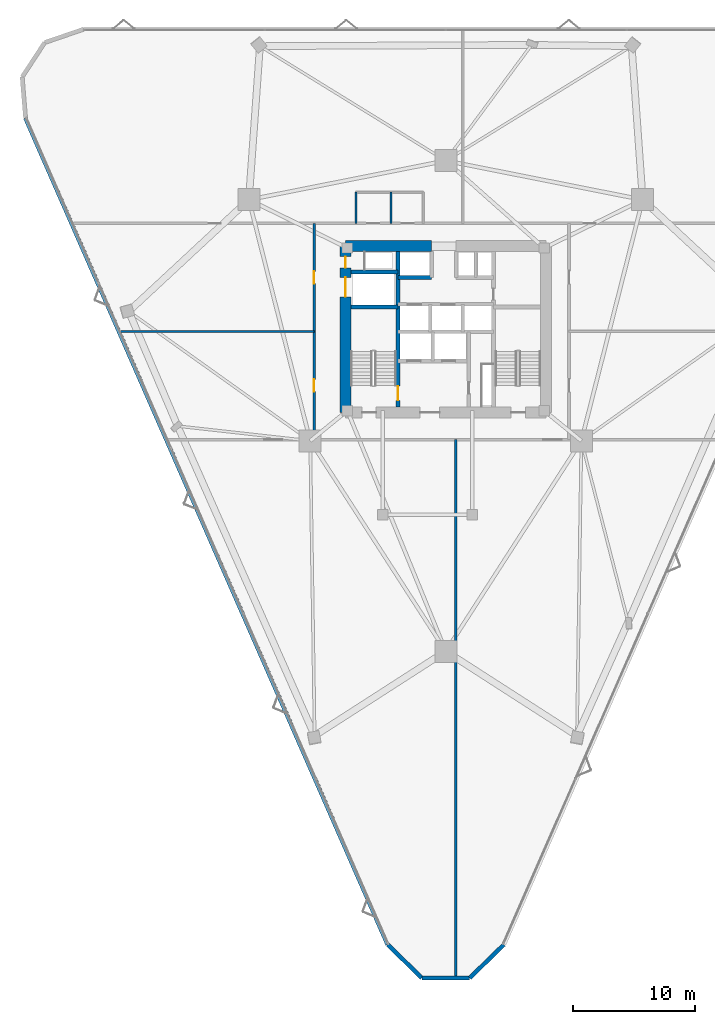
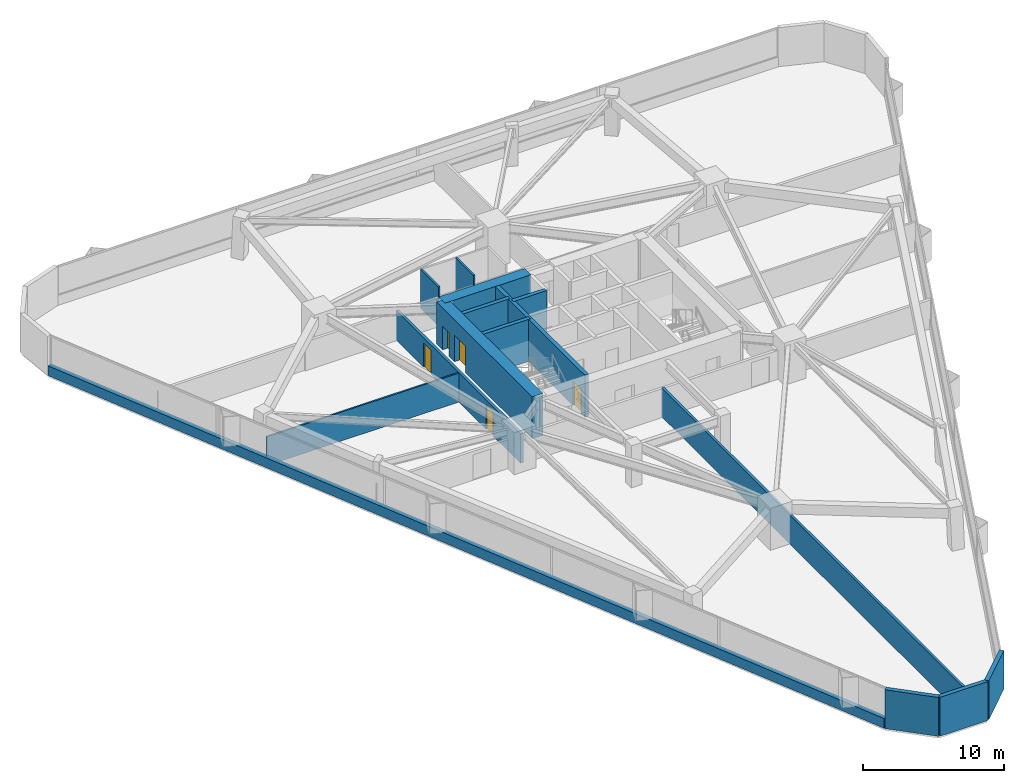
# One storey, part 17 of 20: 15 walls, 5 doors, 5 openings.
"""IFC4 building model written with IfcOpenShell, lengths in metres."""

from ifc_helpers import new_model, si_unit, direction, frame, frame_2d, origin, place, context, subcontext, project, spatial, rectangle, extrude, material, layer, layer_set, type_object, element, fill, save


model = new_model("IFC4")

# Units and contexts
model_context = context("Model", 3, precision=1e-05, world=origin(), true_north=direction((0.0, 1.0)))
body_context = subcontext(model_context, "Body", "Model", "MODEL_VIEW")
ifc_project = project(units=[si_unit("LENGTHUNIT", "METRE"), si_unit("AREAUNIT", "SQUARE_METRE"), si_unit("VOLUMEUNIT", "CUBIC_METRE"), si_unit("PLANEANGLEUNIT", "RADIAN"), si_unit("MASSUNIT", "GRAM", prefix="KILO")], contexts=[model_context])

# Site, building, storey
site_placement = place(None, origin())
site = spatial("IfcSite", under=ifc_project, at=site_placement, CompositionType="ELEMENT")
building_placement = place(site_placement, origin())
building = spatial("IfcBuilding", under=site, at=building_placement, Name="Talyreon Biosciences Tower", CompositionType="ELEMENT")
storey_placement = place(building_placement, frame((0.0, 0.0, 30.10009765625)))
storey = spatial("IfcBuildingStorey", under=building, at=storey_placement, Name="L07", CompositionType="ELEMENT", Elevation=30.10009765625)

# Wall
ifc_material_1 = material(Name="Gypsum fireboard acoustic stud", Category="gypsum")
ifc_layer_1 = layer(ifc_material_1, 0.199951171875)
ifc_layer_set_1 = layer_set([ifc_layer_1], Name="Gypsum fireboard acoustic stud")
wall_type_1 = type_object("IfcWallType", Name="ChemControlPartition_200", PredefinedType="PARTITIONING", material=ifc_layer_set_1)
wall_1_placement = place(storey_placement, frame((66.800048828125, 15.0439453125, 0.0), z_axis=(0.0, 0.0, 1.0), x_axis=(0.0, 1.0, 0.0)))
element("IfcWall", 1, at=wall_1_placement, inside=storey, type_object=wall_type_1, Name="L07 Interior Wall IW-L07-SDIV1", PredefinedType="PARTITIONING", context=body_context, shape_type="SweptSolid", body=[
    extrude(rectangle(XDim=43.93603515625, YDim=0.199951171875, at=frame_2d((21.968017578125, 0.0))), origin(), (0.0, 0.0, 1.0), 2.5048828125),
])

# Wall, opening, door
ifc_material_2 = material(Name="Concrete C50/60", Category="concrete")
ifc_layer_2 = layer(ifc_material_2, 0.320068359375)
ifc_layer_set_2 = layer_set([ifc_layer_2], Name="Concrete C50/60")
wall_type_2 = type_object("IfcWallType", Name="CoreShearWall_320", PredefinedType="SHEAR", material=ifc_layer_set_2)
wall_2_placement = place(storey_placement, frame((62.090087890625, 61.64990234375, 0.0), z_axis=(0.0, 0.0, 1.0), x_axis=(0.0, 1.0, 0.0)))
wall_2 = element("IfcWall", 2, at=wall_2_placement, inside=storey, type_object=wall_type_2, Name="L07 Core Shaft Wall SW1E", PredefinedType="SHEAR", context=body_context, shape_type="SweptSolid", body=[
    extrude(rectangle(XDim=12.7001953125, YDim=0.320068359375, at=frame_2d((6.35009765625, 0.0))), origin(), (0.0, 0.0, 1.0), 3.64990234375),
])
opening_1_placement = place(wall_2_placement, frame((0.550048828125, 0.0, 0.0)))
opening_1 = element("IfcOpeningElement", 3, at=opening_1_placement, cuts=wall_2, Name="Opening DR-L07-FF-ST1", PredefinedType="OPENING", context=body_context, shape_type="SweptSolid", body=[
    extrude(rectangle(XDim=1.14990234375, YDim=2.14990234375, at=frame_2d((0.574951171875, 1.074951171875))), frame((0.0, 0.169921875, 0.0), z_axis=(0.0, -1.0, 0.0), x_axis=(1.0, 0.0, 0.0)), (0.0, 0.0, 1.0), 0.340087890625),
])
ifc_material_3 = material(Name="Painted steel fire door", Category="steel")
door_type_1 = type_object("IfcDoorType", Name="StairShaftFireDoor_1150x2150", OperationType="NOTDEFINED", PredefinedType="DOOR", material=ifc_material_3)
door_1_placement = place(opening_1_placement, origin())
door_1 = element("IfcDoor", 4, at=door_1_placement, inside=storey, type_object=door_type_1, Name="L07 Core Door DR-L07-FF-ST1", OperationType="SINGLE_SWING_LEFT", OverallHeight=2.14990234375, OverallWidth=1.14990234375, PredefinedType="DOOR", context=body_context, shape_type="SweptSolid", body=[
    extrude(rectangle(XDim=1.14990234375, YDim=2.14990234375, at=frame_2d((0.574951171875, 1.074951171875))), frame((0.0, 0.02490234375, 0.0), z_axis=(0.0, -1.0, 0.0), x_axis=(1.0, 0.0, 0.0)), (0.0, 0.0, 1.0), 0.050048828125),
])
fill(opening_1, door_1)

# Walls
for number, where, z_axis, x_axis, name in (
    (5, (58.25, 69.81005859375, 0.0), (0.0, 0.0, 1.0), (1.0, 0.0, 0.0), "L07 Core Shaft Wall SW1N"),
    (6, (58.25, 72.699951171875, 0.0), (0.0, 0.0, 1.0), (1.0, 0.0, 0.0), "L07 Core Shaft Wall SWGLN"),
):
    element("IfcWall", number, at=place(storey_placement, frame(where, z_axis=z_axis, x_axis=x_axis)), inside=storey, type_object=wall_type_2, Name=name, PredefinedType="SHEAR", context=body_context, shape_type="SweptSolid", body=[
        extrude(rectangle(XDim=3.840087890625, YDim=0.320068359375, at=frame_2d((1.919921875, 0.0))), origin(), (0.0, 0.0, 1.0), 3.64990234375),
    ])
wall_3_placement = place(storey_placement, frame((62.090087890625, 72.25, 0.0), z_axis=(0.0, 0.0, 1.0), x_axis=(1.0, 0.0, 0.0)))
element("IfcWall", 7, at=wall_3_placement, inside=storey, type_object=wall_type_2, Name="L07 Core Shaft Wall SWNPW", PredefinedType="SHEAR", context=body_context, shape_type="SweptSolid", body=[
    extrude(rectangle(XDim=2.760009765625, YDim=0.320068359375, at=frame_2d((1.3798828125, 0.0))), origin(), (0.0, 0.0, 1.0), 3.64990234375),
])
ifc_material_4 = material(Name="Concrete C60/75", Category="concrete")
ifc_layer_3 = layer(ifc_material_4, 0.89990234375)
ifc_layer_set_3 = layer_set([ifc_layer_3], Name="Concrete C60/75")
wall_type_3 = type_object("IfcWallType", Name="CoreShearWall_900", PredefinedType="SHEAR", material=ifc_layer_set_3)
wall_4_placement = place(storey_placement, frame((64.85009765625, 74.800048828125, 0.0), z_axis=(0.0, 0.0, 1.0), x_axis=(-1.0, 0.0, 0.0)))
element("IfcWall", 8, at=wall_4_placement, inside=storey, type_object=wall_type_3, Name="L07 Core Shear Wall NW", PredefinedType="SHEAR", context=body_context, shape_type="SweptSolid", body=[
    extrude(rectangle(XDim=7.050048828125, YDim=0.89990234375, at=frame_2d((3.52490234375, 0.0))), origin(), (0.0, 0.0, 1.0), 3.64990234375),
])

# Wall, openings, doors
wall_5_placement = place(storey_placement, frame((57.800048828125, 74.800048828125, 0.0), z_axis=(0.0, 0.0, 1.0), x_axis=(0.0, -1.0, 0.0)))
wall_5 = element("IfcWall", 9, at=wall_5_placement, inside=storey, type_object=wall_type_3, Name="L07 Core Shear Wall W", PredefinedType="SHEAR", context=body_context, shape_type="SweptSolid", body=[
    extrude(rectangle(XDim=13.60009765625, YDim=0.89990234375, at=frame_2d((6.800048828125, 0.0))), origin(), (0.0, 0.0, 1.0), 3.64990234375),
])
opening_2_placement = place(wall_5_placement, frame((0.85009765625, 0.0, 0.0)))
opening_2 = element("IfcOpeningElement", 10, at=opening_2_placement, cuts=wall_5, Name="Opening DR-L07-RSW", PredefinedType="OPENING", context=body_context, shape_type="SweptSolid", body=[
    extrude(rectangle(XDim=0.919921875, YDim=2.050048828125, at=frame_2d((0.4599609375, 1.02490234375))), frame((0.0, 0.4599609375, 0.0), z_axis=(0.0, -1.0, 0.0), x_axis=(1.0, 0.0, 0.0)), (0.0, 0.0, 1.0), 0.919921875),
])
opening_3_placement = place(wall_5_placement, frame((2.550048828125, 0.0, 0.0)))
opening_3 = element("IfcOpeningElement", 11, at=opening_3_placement, cuts=wall_5, Name="Opening LD-L07-GL1", PredefinedType="OPENING", context=body_context, shape_type="SweptSolid", body=[
    extrude(rectangle(XDim=1.60009765625, YDim=2.300048828125, at=frame_2d((0.800048828125, 1.14990234375))), frame((0.0, 0.4599609375, 0.0), z_axis=(0.0, -1.0, 0.0), x_axis=(1.0, 0.0, 0.0)), (0.0, 0.0, 1.0), 0.919921875),
])
ifc_material_5 = material(Name="Heavy-duty stainless-steel goods lift door", Category="steel")
door_type_2 = type_object("IfcDoorType", Name="GoodsLiftSlidingDoor_1600x2300", OperationType="DOUBLE_DOOR_SLIDING", PredefinedType="DOOR", material=ifc_material_5)
door_2_placement = place(opening_3_placement, origin())
door_2 = element("IfcDoor", 12, at=door_2_placement, inside=storey, type_object=door_type_2, Name="L07 Core Door LD-L07-GL1", OperationType="DOUBLE_DOOR_SLIDING", OverallHeight=2.300048828125, OverallWidth=1.60009765625, PredefinedType="DOOR", context=body_context, shape_type="SweptSolid", body=[
    extrude(rectangle(XDim=1.60009765625, YDim=2.300048828125, at=frame_2d((0.800048828125, 1.14990234375))), frame((0.0, 0.02490234375, 0.0), z_axis=(0.0, -1.0, 0.0), x_axis=(1.0, 0.0, 0.0)), (0.0, 0.0, 1.0), 0.050048828125),
])
fill(opening_3, door_2)
ifc_material_6 = material(Name="Painted steel fire-rated riser door", Category="steel")
door_type_3 = type_object("IfcDoorType", Name="RiserPlantAccessDoor_920x2050", OperationType="NOTDEFINED", PredefinedType="DOOR", material=ifc_material_6)
door_3_placement = place(opening_2_placement, origin())
door_3 = element("IfcDoor", 13, at=door_3_placement, inside=storey, type_object=door_type_3, Name="L07 Core Door DR-L07-RSW", OperationType="SINGLE_SWING_LEFT", OverallHeight=2.050048828125, OverallWidth=0.919921875, PredefinedType="DOOR", context=body_context, shape_type="SweptSolid", body=[
    extrude(rectangle(XDim=0.919921875, YDim=2.050048828125, at=frame_2d((0.4599609375, 1.02490234375))), frame((0.0, 0.02490234375, 0.0), z_axis=(0.0, -1.0, 0.0), x_axis=(1.0, 0.0, 0.0)), (0.0, 0.0, 1.0), 0.050048828125),
])
fill(opening_2, door_3)

ifc_layer_4 = layer(ifc_material_1, 0.219970703125)
ifc_layer_set_4 = layer_set([ifc_layer_4], Name="Gypsum fireboard acoustic stud")
wall_type_4 = type_object("IfcWallType", Name="CorridorRatedPartition_220", PredefinedType="PARTITIONING", material=ifc_layer_set_4)
wall_6_placement = place(storey_placement, frame((55.22998046875, 58.97998046875, 0.0), z_axis=(0.0, 0.0, 1.0), x_axis=(0.0, 1.0, 0.0)))
wall_6 = element("IfcWall", 14, at=wall_6_placement, inside=storey, type_object=wall_type_4, Name="L07 Interior Wall IW-L07-COR-W", PredefinedType="PARTITIONING", context=body_context, shape_type="SweptSolid", body=[
    extrude(rectangle(XDim=17.68994140625, YDim=0.219970703125, at=frame_2d((8.844970703125, 0.0))), origin(), (0.0, 0.0, 1.0), 2.554931640625),
])
opening_4_placement = place(wall_6_placement, frame((3.923095703125, 0.0, 0.0)))
opening_4 = element("IfcOpeningElement", 15, at=opening_4_placement, cuts=wall_6, Name="Opening DR-L07-W1A", PredefinedType="OPENING", context=body_context, shape_type="SweptSolid", body=[
    extrude(rectangle(XDim=1.0, YDim=2.10009765625, at=frame_2d((0.5, 1.050048828125))), frame((0.0, 0.119873046875, 0.0), z_axis=(0.0, -1.0, 0.0), x_axis=(1.0, 0.0, 0.0)), (0.0, 0.0, 1.0), 0.239990234375),
])
opening_5_placement = place(wall_6_placement, frame((12.76806640625, 0.0, 0.0)))
opening_5 = element("IfcOpeningElement", 16, at=opening_5_placement, cuts=wall_6, Name="Opening DR-L07-W2A", PredefinedType="OPENING", context=body_context, shape_type="SweptSolid", body=[
    extrude(rectangle(XDim=1.0, YDim=2.10009765625, at=frame_2d((0.5, 1.050048828125))), frame((0.0, 0.119873046875, 0.0), z_axis=(0.0, -1.0, 0.0), x_axis=(1.0, 0.0, 0.0)), (0.0, 0.0, 1.0), 0.239990234375),
])
ifc_material_7 = material(Name="Acoustic oak veneer office door", Category="wood")
door_type_4 = type_object("IfcDoorType", Name="WriteupOfficeDoor_1000x2100", OperationType="NOTDEFINED", PredefinedType="DOOR", material=ifc_material_7)
door_4_placement = place(opening_4_placement, origin())
door_4 = element("IfcDoor", 17, at=door_4_placement, inside=storey, type_object=door_type_4, Name="L07 Interior Door DR-L07-W1A", OperationType="SINGLE_SWING_RIGHT", OverallHeight=2.10009765625, OverallWidth=1.0, PredefinedType="DOOR", context=body_context, shape_type="SweptSolid", body=[
    extrude(rectangle(XDim=1.0, YDim=2.10009765625, at=frame_2d((0.5, 1.050048828125))), frame((0.0, 0.02490234375, 0.0), z_axis=(0.0, -1.0, 0.0), x_axis=(1.0, 0.0, 0.0)), (0.0, 0.0, 1.0), 0.050048828125),
])
fill(opening_4, door_4)
door_5_placement = place(opening_5_placement, origin())
door_5 = element("IfcDoor", 18, at=door_5_placement, inside=storey, type_object=door_type_4, Name="L07 Interior Door DR-L07-W2A", OperationType="SINGLE_SWING_RIGHT", OverallHeight=2.10009765625, OverallWidth=1.0, PredefinedType="DOOR", context=body_context, shape_type="SweptSolid", body=[
    extrude(rectangle(XDim=1.0, YDim=2.10009765625, at=frame_2d((0.5, 1.050048828125))), frame((0.0, 0.02490234375, 0.0), z_axis=(0.0, -1.0, 0.0), x_axis=(1.0, 0.0, 0.0)), (0.0, 0.0, 1.0), 0.050048828125),
])
fill(opening_5, door_5)

# Walls
ifc_material_8 = material(Name="Gypsum acoustic stud partition", Category="gypsum")
ifc_layer_5 = layer(ifc_material_8, 0.1298828125)
ifc_layer_set_5 = layer_set([ifc_layer_5], Name="Gypsum acoustic stud partition")
wall_type_5 = type_object("IfcWallType", Name="OfficeWriteupPartition_130", PredefinedType="PARTITIONING", material=ifc_layer_set_5)
wall_7_placement = place(storey_placement, frame((39.361328125, 67.824951171875, 0.0), z_axis=(0.0, 0.0, 1.0), x_axis=(1.0, 0.0, 0.0)))
element("IfcWall", 19, at=wall_7_placement, inside=storey, type_object=wall_type_5, Name="L07 Interior Wall IW-L07-WDIV1", PredefinedType="PARTITIONING", context=body_context, shape_type="SweptSolid", body=[
    extrude(rectangle(XDim=15.86865234375, YDim=0.1298828125, at=frame_2d((7.934326171875, 0.0))), origin(), (0.0, 0.0, 1.0), 2.5048828125),
])
ifc_material_9 = material(Name="Precast concrete C45/55", Category="concrete")
ifc_layer_6 = layer(ifc_material_9, 0.340087890625)
ifc_layer_set_6 = layer_set([ifc_layer_6], Name="Precast concrete C45/55")
wall_type_6 = type_object("IfcWallType", Name="PrecastConcreteSpandrelWall_340", PredefinedType="STANDARD", material=ifc_layer_set_6)
wall_8_placement = place(storey_placement, frame((61.2373046875, 17.689453125, 0.0), z_axis=(0.0, 0.0, 1.0), x_axis=(-0.401347685244, 0.91592578059, 0.0)))
element("IfcWall", 20, at=wall_8_placement, inside=storey, type_object=wall_type_6, Name="L07 Expressed Concrete Sill Wall 00", PredefinedType="STANDARD", context=body_context, shape_type="SweptSolid", body=[
    extrude(rectangle(XDim=73.781005859375, YDim=0.340087890625, at=frame_2d((36.890625, 0.0))), origin(), (0.0, 0.0, 1.0), 0.849853515625),
])
wall_9_placement = place(storey_placement, frame((70.7626953125, 17.689453125, 0.0), z_axis=(0.0, 0.0, 1.0), x_axis=(-0.716584381789, -0.697500411308, 0.0)))
element("IfcWall", 21, at=wall_9_placement, inside=storey, type_object=wall_type_6, Name="L07 Rounded-Corner Concrete Pier 09", PredefinedType="STANDARD", context=body_context, shape_type="SweptSolid", body=[
    extrude(rectangle(XDim=3.91455078125, YDim=0.340087890625, at=frame_2d((1.957275390625, 0.0))), origin(), (0.0, 0.0, 1.0), 3.375),
])
wall_10_placement = place(storey_placement, frame((67.95751953125, 14.958984375, 0.0), z_axis=(0.0, 0.0, 1.0), x_axis=(-1.0, 0.0, 0.0)))
element("IfcWall", 22, at=wall_10_placement, inside=storey, type_object=wall_type_6, Name="L07 Rounded-Corner Concrete Pier 10", PredefinedType="STANDARD", context=body_context, shape_type="SweptSolid", body=[
    extrude(rectangle(XDim=3.9150390625, YDim=0.340087890625, at=frame_2d((1.95751953125, 0.0))), origin(), (0.0, 0.0, 1.0), 3.375),
])
wall_11_placement = place(storey_placement, frame((64.04248046875, 14.958984375, 0.0), z_axis=(0.0, 0.0, 1.0), x_axis=(-0.716584381789, 0.697500411308, 0.0)))
element("IfcWall", 23, at=wall_11_placement, inside=storey, type_object=wall_type_6, Name="L07 Rounded-Corner Concrete Pier 11", PredefinedType="STANDARD", context=body_context, shape_type="SweptSolid", body=[
    extrude(rectangle(XDim=3.91455078125, YDim=0.340087890625, at=frame_2d((1.957275390625, 0.0))), origin(), (0.0, 0.0, 1.0), 3.375),
])
ifc_material_10 = material(Name="Moisture-resistant cement-board stud", Category="gypsum")
ifc_layer_7 = layer(ifc_material_10, 0.14501953125)
ifc_layer_set_7 = layer_set([ifc_layer_7], Name="Moisture-resistant cement-board stud")
wall_type_7 = type_object("IfcWallType", Name="WetRoomPartition_145", PredefinedType="PARTITIONING", material=ifc_layer_set_7)
for number, where, z_axis, x_axis, name in (
    (24, (58.64990234375, 76.669921875, 0.0), (0.0, 0.0, 1.0), (0.0, 1.0, 0.0), "L07 Interior Wall IW-L07-WCL"),
    (25, (61.52490234375, 76.669921875, 0.0), (0.0, 0.0, 1.0), (0.0, 1.0, 0.0), "L07 Interior Wall IW-L07-WCM"),
):
    element("IfcWall", number, at=place(storey_placement, frame(where, z_axis=z_axis, x_axis=x_axis)), inside=storey, type_object=wall_type_7, Name=name, PredefinedType="PARTITIONING", context=body_context, shape_type="SweptSolid", body=[
        extrude(rectangle(XDim=2.550048828125, YDim=0.14501953125, at=frame_2d((1.27490234375, 0.0))), origin(), (0.0, 0.0, 1.0), 3.375),
    ])

save(model, "model.ifc")
